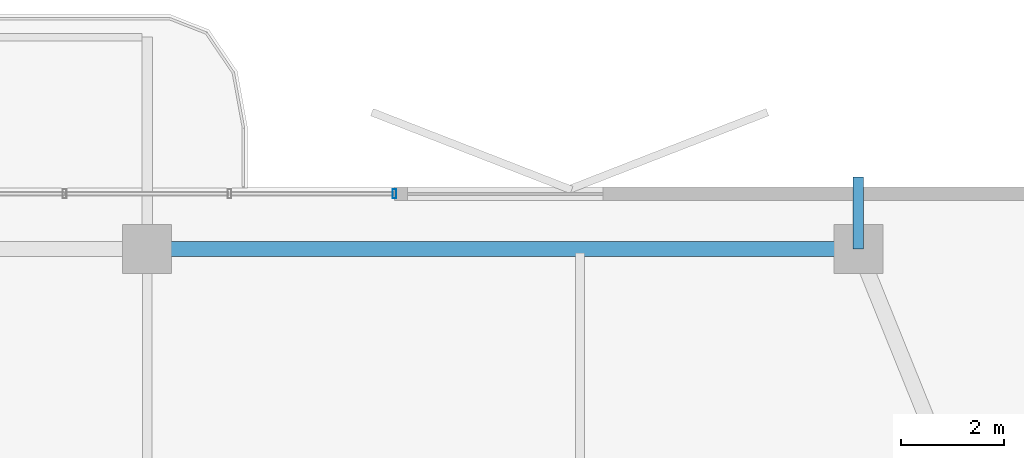
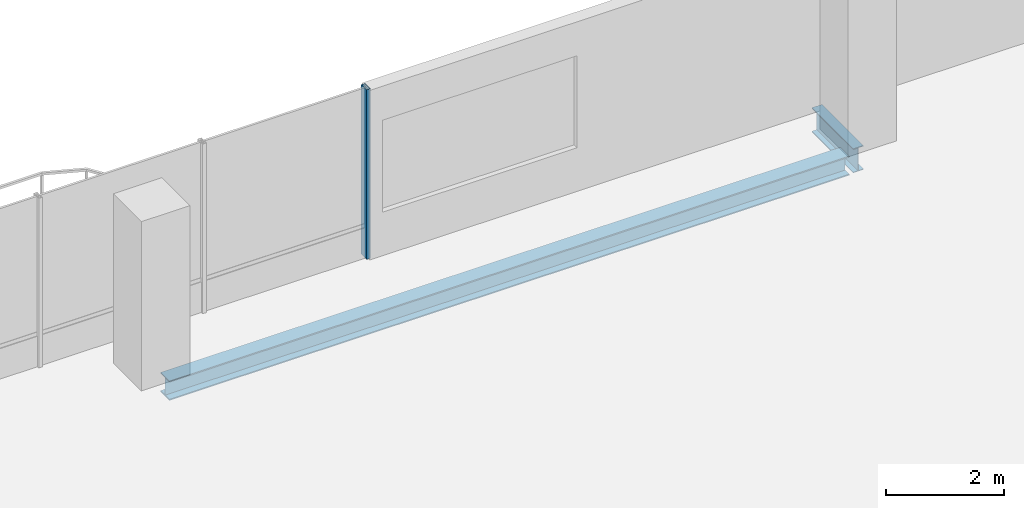
# One storey, part 16 of 24: 2 beams, 1 member, 1 element without a shape of its own.
"""IFC4 building model written with IfcOpenShell, lengths in metres."""

from ifc_helpers import new_model, si_unit, direction, frame, origin, origin_2d, place, context, subcontext, project, spatial, hollow_rectangle, i_section, extrude, material, layer, layer_set, material_profile, profile_set, type_object, element, aggregate, save


model = new_model("IFC4")

# Units and contexts
model_context = context("Model", 3, precision=1e-05, world=origin(), true_north=direction((0.0, 1.0)))
body_context = subcontext(model_context, "Body", "Model", "MODEL_VIEW")
ifc_project = project(units=[si_unit("LENGTHUNIT", "METRE"), si_unit("AREAUNIT", "SQUARE_METRE"), si_unit("VOLUMEUNIT", "CUBIC_METRE"), si_unit("PLANEANGLEUNIT", "RADIAN"), si_unit("MASSUNIT", "GRAM", prefix="KILO")], contexts=[model_context])

# Site, building, storey
site_placement = place(None, origin())
site = spatial("IfcSite", under=ifc_project, at=site_placement, CompositionType="ELEMENT")
building_placement = place(site_placement, origin())
building = spatial("IfcBuilding", under=site, at=building_placement, Name="Belovzor Exchange Tower", CompositionType="ELEMENT")
storey_placement = place(building_placement, frame((0.0, 0.0, 261.60009765625)))
storey = spatial("IfcBuildingStorey", under=building, at=storey_placement, Name="L65", CompositionType="ELEMENT", Elevation=261.60009765625)

# Beam
ifc_material_1 = material(Name="Steel S355", Category="steel")
ifc_material_profile_1 = material_profile(ifc_material_1, i_section(OverallWidth=0.199951171875, OverallDepth=0.5, WebThickness=0.01025390625, FlangeThickness=0.01611328125, at=origin_2d()))
ifc_profile_set_1 = profile_set([ifc_material_profile_1], Name="Steel S355")
beam_type_1 = type_object("IfcBeamType", Name="Planted Balcony Cantilever Beam IPE 500", PredefinedType="BEAM", material=ifc_profile_set_1)
beam_1_placement = place(storey_placement, frame((42.60009765625, 52.5, -0.5), z_axis=(0.0, 1.0, 0.0), x_axis=(-1.0, 0.0, 0.0)))
element("IfcBeam", 1, at=beam_1_placement, inside=storey, type_object=beam_type_1, Name="BC-500 Planted Balcony Cantilever Beam IPE 500", PredefinedType="BEAM", context=body_context, shape_type="SweptSolid", body=[
    extrude(i_section(OverallWidth=0.199951171875, OverallDepth=0.5, WebThickness=0.01025390625, FlangeThickness=0.01611328125, at=origin_2d()), origin(), (0.0, 0.0, 1.0), 1.39990234375),
])

# Curtain wall, member
ifc_material_2 = material(Name="Anodised Aluminium Framing", Category="aluminium")
ifc_layer = layer(ifc_material_2, 0.179931640625)
ifc_layer_set = layer_set([ifc_layer], Name="Anodised Aluminium Framing")
curtain_wall_type = type_object("IfcCurtainWallType", Name="Recessed Loggia Low-Iron Triple-Glazed Curtain Wall", PredefinedType="NOTDEFINED", material=ifc_layer_set)
curtain_wall_placement = place(storey_placement, origin())
curtain_wall = element("IfcCurtainWall", 2, at=curtain_wall_placement, inside=storey, type_object=curtain_wall_type, Name="CW3 Recessed Loggia Low-Iron Triple-Glazed Curtain Wall L65", PredefinedType="NOTDEFINED")
ifc_material_3 = material(Name="Steel S355", Category="steel")
ifc_material_profile_2 = material_profile(ifc_material_3, hollow_rectangle(XDim=0.074951171875, YDim=0.179931640625, WallThickness=0.0048828125, at=origin_2d()))
ifc_profile_set_2 = profile_set([ifc_material_profile_2], Name="Steel S355")
member_type = type_object("IfcMemberType", Name="Thermally Broken Curtain Wall Mullion 180x75", PredefinedType="MULLION", material=ifc_profile_set_2)
member_placement = place(storey_placement, frame((33.60009765625, 53.570068359375, 0.0), z_axis=(0.0, 0.0, 1.0), x_axis=(1.0, 0.0, 0.0)))
member = element("IfcMember", 3, at=member_placement, type_object=member_type, Name="CW-M180 Curtain Wall Mullion 4", PredefinedType="MULLION", context=body_context, shape_type="SweptSolid", body=[
    extrude(hollow_rectangle(XDim=0.074951171875, YDim=0.179931640625, WallThickness=0.0048828125, at=origin_2d()), origin(), (0.0, 0.0, 1.0), 3.5),
])
aggregate(curtain_wall, [member])

# Beam
ifc_material_4 = material(Name="Steel S355", Category="steel")
ifc_material_profile_3 = material_profile(ifc_material_4, i_section(OverallWidth=0.300048828125, OverallDepth=0.39990234375, WebThickness=0.013427734375, FlangeThickness=0.02392578125, at=origin_2d()))
ifc_profile_set_3 = profile_set([ifc_material_profile_3], Name="Steel S355")
beam_type_2 = type_object("IfcBeamType", Name="Zone 5 Primary Girder HEB 400", PredefinedType="BEAM", material=ifc_profile_set_3)
beam_2_placement = place(storey_placement, frame((42.339111328125, 52.5, -0.4501953125), z_axis=(-1.0, 0.0, 0.0), x_axis=(0.0, -1.0, 0.0)))
element("IfcBeam", 4, at=beam_2_placement, inside=storey, type_object=beam_type_2, Name="FG-Z5 Zone 5 Primary Girder HEB 400", PredefinedType="BEAM", context=body_context, shape_type="SweptSolid", body=[
    extrude(i_section(OverallWidth=0.300048828125, OverallDepth=0.39990234375, WebThickness=0.013427734375, FlangeThickness=0.02392578125, at=origin_2d()), origin(), (0.0, 0.0, 1.0), 13.278076171875),
])

save(model, "model.ifc")
